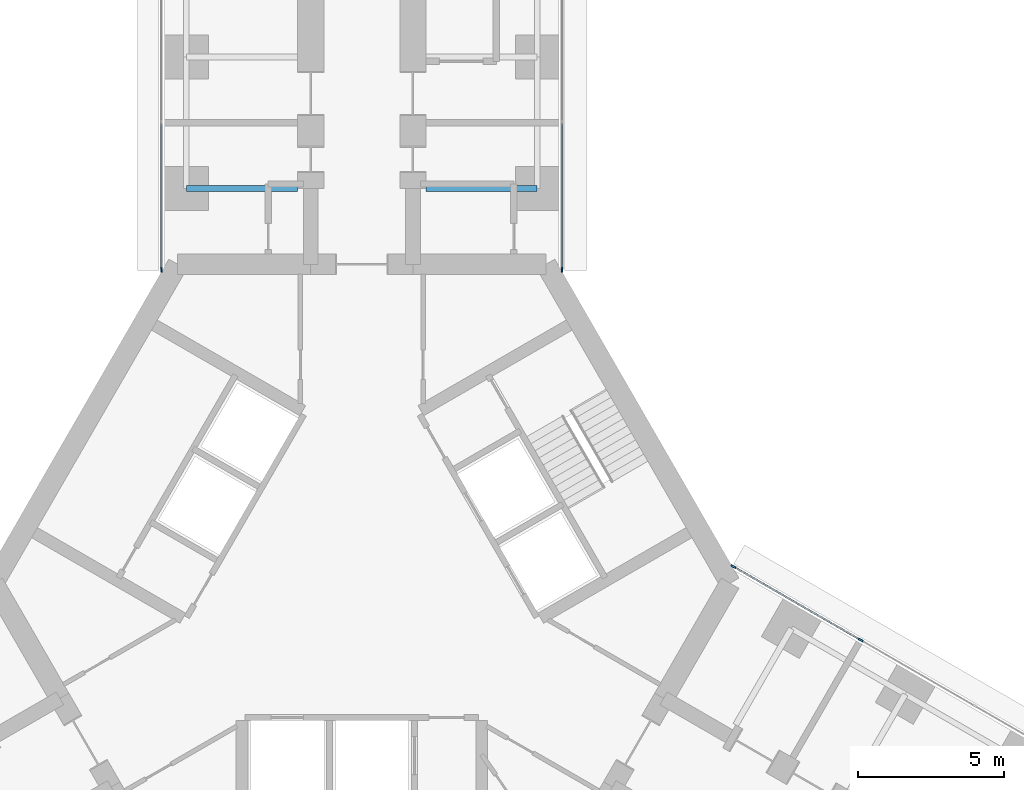
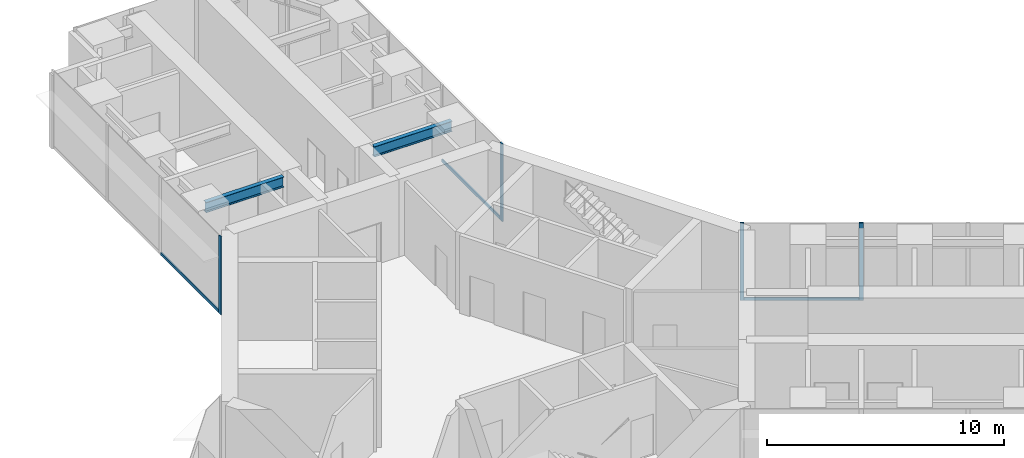
# One storey, part 11 of 22: 7 members, 2 beams, 3 elements without a shape of their own.
"""IFC4 building model written with IfcOpenShell, lengths in metres."""

from ifc_helpers import new_model, si_unit, direction, frame, origin, origin_2d, place, context, subcontext, project, spatial, rectangle, i_section, extrude, material, material_profile, profile_set, type_object, element, aggregate, save


model = new_model("IFC4")

# Units and contexts
model_context = context("Model", 3, precision=1e-05, world=origin(), true_north=direction((0.0, 1.0)))
body_context = subcontext(model_context, "Body", "Model", "MODEL_VIEW")
ifc_project = project(units=[si_unit("LENGTHUNIT", "METRE"), si_unit("AREAUNIT", "SQUARE_METRE"), si_unit("VOLUMEUNIT", "CUBIC_METRE"), si_unit("PLANEANGLEUNIT", "RADIAN"), si_unit("MASSUNIT", "GRAM", prefix="KILO")], contexts=[model_context])

# Site, building, storey
site_placement = place(None, origin())
site = spatial("IfcSite", under=ifc_project, at=site_placement, CompositionType="ELEMENT")
building_placement = place(site_placement, origin())
building = spatial("IfcBuilding", under=site, at=building_placement, Name="Upepo Twin Towers", CompositionType="ELEMENT")
storey_placement = place(building_placement, frame((0.0, 0.0, 40.5)))
storey = spatial("IfcBuildingStorey", under=building, at=storey_placement, Name="L09", CompositionType="ELEMENT", Elevation=40.5)

# Beams
ifc_material_1 = material(Name="Steel S355", Category="steel")
ifc_material_profile_1 = material_profile(ifc_material_1, i_section(OverallWidth=0.209228515625, OverallDepth=0.533203125, WebThickness=0.010009765625, FlangeThickness=0.015625, FilletRadius=0.0126953125, at=origin_2d()), Name="UB 533x210x92")
ifc_profile_set_1 = profile_set([ifc_material_profile_1], Name="Steel S355")
beam_type = type_object("IfcBeamType", Name="Beam UB 533x210x92", PredefinedType="BEAM", material=ifc_profile_set_1)
for number, where, z_axis, x_axis, name in (
    (1, (52.5, -4.5, 3.533447265625), (1.0, 0.0, 0.0), (0.0, 1.0, 0.0), "T2 girder AL at 13.5"),
    (2, (64.5, -4.5, 3.533447265625), (-1.0, 0.0, 0.0), (0.0, -1.0, 0.0), "T2 girder AR at 13.5"),
):
    element("IfcBeam", number, at=place(storey_placement, frame(where, z_axis=z_axis, x_axis=x_axis)), inside=storey, type_object=beam_type, Name=name, PredefinedType="BEAM", context=body_context, shape_type="SweptSolid", body=[
        extrude(i_section(OverallWidth=0.209228515625, OverallDepth=0.533203125, WebThickness=0.010009765625, FlangeThickness=0.015625, FilletRadius=0.0126953125, at=origin_2d()), origin(), (0.0, 0.0, 1.0), 3.800048828125),
    ])

# Curtain wall, member
ifc_material_2 = material(Name="Aluminium and fritted glass", Category="aluminium")
curtain_wall_type = type_object("IfcCurtainWallType", Name="Tower curtain wall TW1, fritted glass", PredefinedType="NOTDEFINED", material=ifc_material_2)
curtain_wall_1_placement = place(storey_placement, origin())
curtain_wall_1 = element("IfcCurtainWall", 3, at=curtain_wall_1_placement, inside=storey, type_object=curtain_wall_type, Name="T2 L09 wing A flank L curtain wall", PredefinedType="NOTDEFINED")
ifc_material_3 = material(Name="Aluminium mullion", Category="aluminium")
ifc_material_profile_2 = material_profile(ifc_material_3, rectangle(XDim=0.06494140625, YDim=0.179931640625, at=origin_2d()), Name="MULLION 65x180")
ifc_profile_set_2 = profile_set([ifc_material_profile_2], Name="Aluminium mullion")
member_type_1 = type_object("IfcMemberType", Name="Mullion 65x180 TW1", PredefinedType="MULLION", material=ifc_profile_set_2)
member_1_placement = place(storey_placement, frame((51.64990234375, -7.2802734375, 0.0), z_axis=(0.0, 0.0, 1.0), x_axis=(-1.0, 0.0, 0.0)))
member_1 = element("IfcMember", 4, at=member_1_placement, type_object=member_type_1, Name="T2 L09 wing A flank L curtain wall mullion 1", PredefinedType="MULLION", context=body_context, shape_type="SweptSolid", body=[
    extrude(rectangle(XDim=0.06494140625, YDim=0.179931640625, at=origin_2d()), origin(), (0.0, 0.0, 1.0), 4.0),
])

curtain_wall_2_placement = place(storey_placement, origin())
curtain_wall_2 = element("IfcCurtainWall", 5, at=curtain_wall_2_placement, inside=storey, type_object=curtain_wall_type, Name="T2 L09 wing A flank R curtain wall", PredefinedType="NOTDEFINED")
member_2_placement = place(storey_placement, frame((65.35009765625, -7.2802734375, 0.0), z_axis=(0.0, 0.0, 1.0), x_axis=(1.0, 0.0, 0.0)))
member_2 = element("IfcMember", 6, at=member_2_placement, type_object=member_type_1, Name="T2 L09 wing A flank R curtain wall mullion 4", PredefinedType="MULLION", context=body_context, shape_type="SweptSolid", body=[
    extrude(rectangle(XDim=0.06494140625, YDim=0.179931640625, at=origin_2d()), origin(), (0.0, 0.0, 1.0), 4.0),
])

# Curtain wall, members
curtain_wall_3_placement = place(storey_placement, origin())
curtain_wall_3 = element("IfcCurtainWall", 7, at=curtain_wall_3_placement, inside=storey, type_object=curtain_wall_type, Name="T2 L09 wing C flank L curtain wall", PredefinedType="NOTDEFINED")
member_3_placement = place(storey_placement, frame((71.20849609375, -17.427490234375, 0.0), z_axis=(0.0, 0.0, 1.0), x_axis=(0.500000024426, 0.866025389682, 0.0)))
member_3 = element("IfcMember", 8, at=member_3_placement, type_object=member_type_1, Name="T2 L09 wing C flank L curtain wall mullion 1", PredefinedType="MULLION", context=body_context, shape_type="SweptSolid", body=[
    extrude(rectangle(XDim=0.06494140625, YDim=0.179931640625, at=origin_2d()), origin(), (0.0, 0.0, 1.0), 4.0),
])
member_4_placement = place(storey_placement, frame((75.56494140625, -19.942626953125, 0.0), z_axis=(0.0, 0.0, 1.0), x_axis=(0.500000024426, 0.866025389682, 0.0)))
member_4 = element("IfcMember", 9, at=member_4_placement, type_object=member_type_1, Name="T2 L09 wing C flank L curtain wall mullion 2", PredefinedType="MULLION", context=body_context, shape_type="SweptSolid", body=[
    extrude(rectangle(XDim=0.06494140625, YDim=0.179931640625, at=origin_2d()), origin(), (0.0, 0.0, 1.0), 4.0),
])

# Member
ifc_material_4 = material(Name="Aluminium transom", Category="aluminium")
ifc_material_profile_3 = material_profile(ifc_material_4, rectangle(XDim=0.06494140625, YDim=0.14990234375, at=origin_2d()), Name="TRANSOM 65x150")
ifc_profile_set_3 = profile_set([ifc_material_profile_3], Name="Aluminium transom")
member_type_2 = type_object("IfcMemberType", Name="Transom 65x150 TW1", PredefinedType="USERDEFINED", material=ifc_profile_set_3)
member_5_placement = place(storey_placement, frame((51.64990234375, -7.247802734375, 0.074951171875), z_axis=(0.0, 1.0, 0.0), x_axis=(-1.0, 0.0, 0.0)))
member_5 = element("IfcMember", 10, at=member_5_placement, type_object=member_type_2, Name="T2 L09 wing A flank L curtain wall transom 1", ObjectType="TRANSOM", PredefinedType="USERDEFINED", context=body_context, shape_type="SweptSolid", body=[
    extrude(rectangle(XDim=0.06494140625, YDim=0.14990234375, at=origin_2d()), origin(), (0.0, 0.0, 1.0), 4.96533203125),
])

aggregate(curtain_wall_1, [member_1, member_5])

member_6_placement = place(storey_placement, frame((65.35009765625, -2.282470703125, 0.074951171875), z_axis=(0.0, -1.0, 0.0), x_axis=(1.0, 0.0, 0.0)))
member_6 = element("IfcMember", 11, at=member_6_placement, type_object=member_type_2, Name="T2 L09 wing A flank R curtain wall transom 3", ObjectType="TRANSOM", PredefinedType="USERDEFINED", context=body_context, shape_type="SweptSolid", body=[
    extrude(rectangle(XDim=0.06494140625, YDim=0.14990234375, at=origin_2d()), origin(), (0.0, 0.0, 1.0), 4.96533203125),
])

aggregate(curtain_wall_2, [member_2, member_6])

member_7_placement = place(storey_placement, frame((71.236572265625, -17.44384765625, 0.074951171875), z_axis=(0.866034933967, -0.499983492876, 0.0), x_axis=(0.499983492876, 0.866034933967, 0.0)))
member_7 = element("IfcMember", 12, at=member_7_placement, type_object=member_type_2, Name="T2 L09 wing C flank L curtain wall transom 1", ObjectType="TRANSOM", PredefinedType="USERDEFINED", context=body_context, shape_type="SweptSolid", body=[
    extrude(rectangle(XDim=0.06494140625, YDim=0.14990234375, at=origin_2d()), origin(), (0.0, 0.0, 1.0), 4.965576171875),
])

aggregate(curtain_wall_3, [member_3, member_4, member_7])

save(model, "model.ifc")
